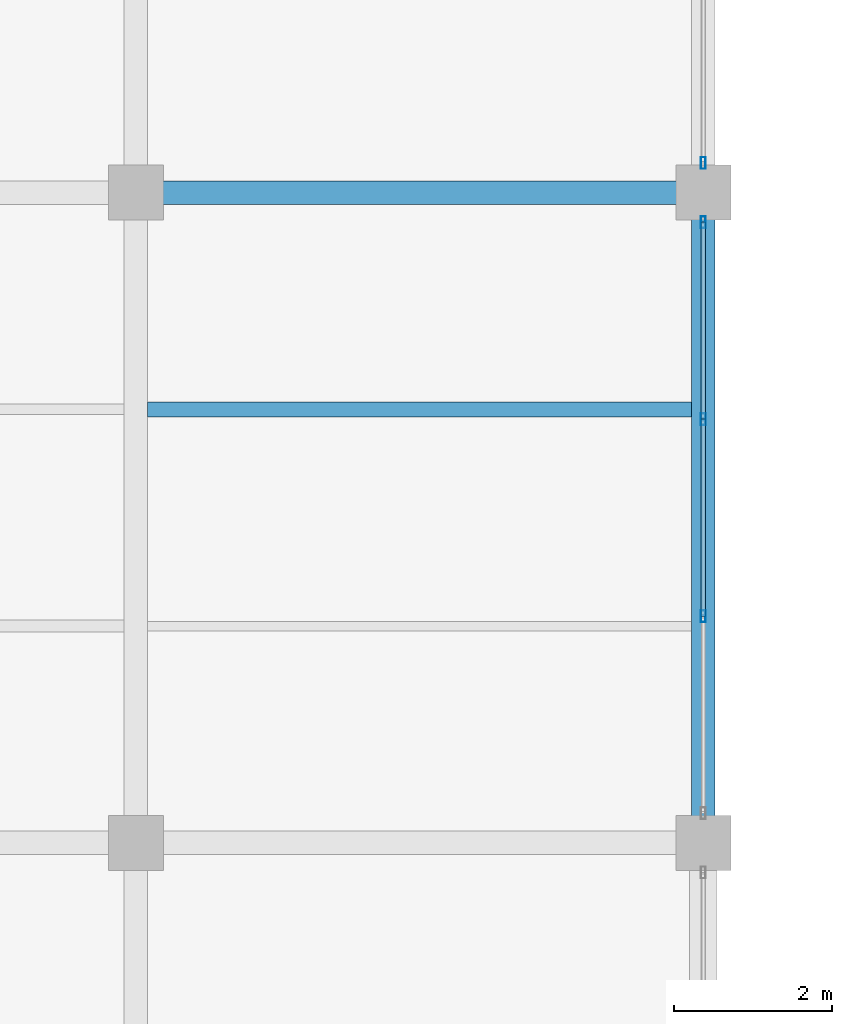
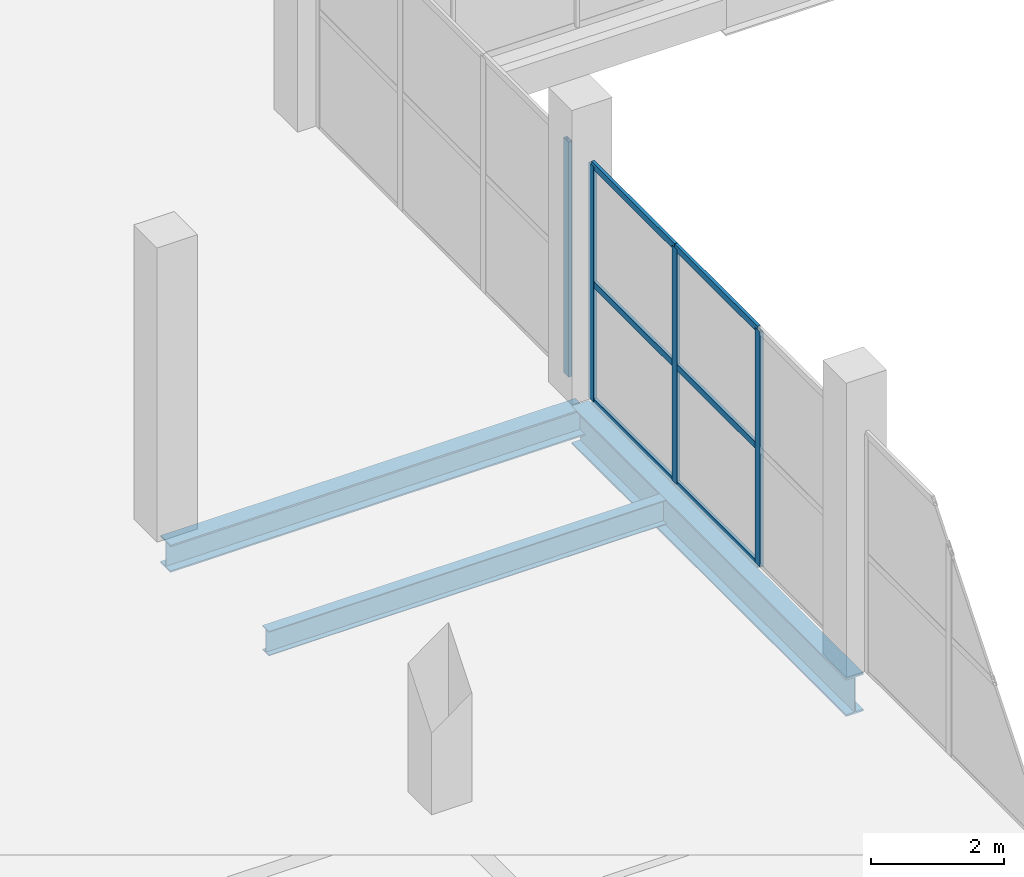
# One storey, part 72 of 147: 10 members, 3 beams, 2 elements without a shape of their own.
"""IFC4 building model written with IfcOpenShell, lengths in metres."""

from ifc_helpers import new_model, si_unit, direction, frame, origin, origin_2d, place, context, subcontext, project, spatial, hollow_rectangle, i_section, extrude, material, layer, layer_set, material_profile, profile_set, type_object, element, aggregate, save


model = new_model("IFC4")

# Units and contexts
model_context = context("Model", 3, precision=1e-05, world=origin(), true_north=direction((0.0, 1.0)))
body_context = subcontext(model_context, "Body", "Model", "MODEL_VIEW")
ifc_project = project(units=[si_unit("LENGTHUNIT", "METRE"), si_unit("AREAUNIT", "SQUARE_METRE"), si_unit("VOLUMEUNIT", "CUBIC_METRE"), si_unit("PLANEANGLEUNIT", "RADIAN"), si_unit("MASSUNIT", "GRAM", prefix="KILO")], contexts=[model_context])

# Site, building, storey
site_placement = place(None, origin())
site = spatial("IfcSite", under=ifc_project, at=site_placement, CompositionType="ELEMENT")
building_placement = place(site_placement, origin())
building = spatial("IfcBuilding", under=site, at=building_placement, Name="Sundgate Opera House", CompositionType="ELEMENT")
storey_placement = place(building_placement, frame((0.0, 0.0, 6.0)))
storey = spatial("IfcBuildingStorey", under=building, at=storey_placement, Name="L01", CompositionType="ELEMENT", Elevation=6.0)

# Beams
ifc_material_1 = material(Name="Steel S355J2", Category="steel")
ifc_material_profile_1 = material_profile(ifc_material_1, i_section(OverallWidth=0.300048828125, OverallDepth=0.5, WebThickness=0.014404296875, FlangeThickness=0.028076171875, at=origin_2d()), Name="HEB 500")
ifc_profile_set_1 = profile_set([ifc_material_profile_1], Name="Steel S355J2")
beam_type_1 = type_object("IfcBeamType", Name="BM-GR-HEB500", PredefinedType="BEAM", material=ifc_profile_set_1)
beam_1_placement = place(storey_placement, frame((117.0, 103.5, -0.550048828125), z_axis=(1.0, 0.0, 0.0), x_axis=(0.0, 1.0, 0.0)))
element("IfcBeam", 1, at=beam_1_placement, inside=storey, type_object=beam_type_1, Name="L01 Primary E-W Girder B1428", PredefinedType="BEAM", context=body_context, shape_type="SweptSolid", body=[
    extrude(i_section(OverallWidth=0.300048828125, OverallDepth=0.5, WebThickness=0.014404296875, FlangeThickness=0.028076171875, at=origin_2d()), origin(), (0.0, 0.0, 1.0), 7.199951171875),
])
ifc_material_2 = material(Name="Steel S355J2", Category="steel")
ifc_material_profile_2 = material_profile(ifc_material_2, i_section(OverallWidth=0.300048828125, OverallDepth=0.699951171875, WebThickness=0.01708984375, FlangeThickness=0.031982421875, at=origin_2d()), Name="HEB 700")
ifc_profile_set_2 = profile_set([ifc_material_profile_2], Name="Steel S355J2")
beam_type_2 = type_object("IfcBeamType", Name="BM-GR-HEB700", PredefinedType="BEAM", material=ifc_profile_set_2)
beam_2_placement = place(storey_placement, frame((124.199951171875, 95.25, -0.64990234375), z_axis=(0.0, 1.0, 0.0), x_axis=(-1.0, 0.0, 0.0)))
element("IfcBeam", 2, at=beam_2_placement, inside=storey, type_object=beam_type_2, Name="L01 Primary N-S Girder B1204", PredefinedType="BEAM", context=body_context, shape_type="SweptSolid", body=[
    extrude(i_section(OverallWidth=0.300048828125, OverallDepth=0.699951171875, WebThickness=0.01708984375, FlangeThickness=0.031982421875, at=origin_2d()), origin(), (0.0, 0.0, 1.0), 8.25),
])
ifc_material_3 = material(Name="Steel S355J2", Category="steel")
ifc_material_profile_3 = material_profile(ifc_material_3, i_section(OverallWidth=0.18994140625, OverallDepth=0.449951171875, WebThickness=0.009521484375, FlangeThickness=0.0146484375, at=origin_2d()), Name="IPE 450")
ifc_profile_set_3 = profile_set([ifc_material_profile_3], Name="Steel S355J2")
beam_type_3 = type_object("IfcBeamType", Name="BM-JS-IPE450", PredefinedType="JOIST", material=ifc_profile_set_3)
beam_3_placement = place(storey_placement, frame((117.14990234375, 100.75, -0.52490234375), z_axis=(1.0, 0.0, 0.0), x_axis=(0.0, 1.0, 0.0)))
element("IfcBeam", 3, at=beam_3_placement, inside=storey, type_object=beam_type_3, Name="L01 Secondary Floor Joist B1701", PredefinedType="JOIST", context=body_context, shape_type="SweptSolid", body=[
    extrude(i_section(OverallWidth=0.18994140625, OverallDepth=0.449951171875, WebThickness=0.009521484375, FlangeThickness=0.0146484375, at=origin_2d()), origin(), (0.0, 0.0, 1.0), 6.900146484375),
])

# Curtain wall, members
ifc_material_4 = material(Name="Anodized aluminium and low-iron glass", Category="aluminium")
ifc_layer = layer(ifc_material_4, 0.159912109375)
ifc_layer_set = layer_set([ifc_layer], Name="Anodized aluminium and low-iron glass")
curtain_wall_type = type_object("IfcCurtainWallType", Name="CW-STUDIO-DARK", PredefinedType="NOTDEFINED", material=ifc_layer_set)
curtain_wall_1_placement = place(storey_placement, origin())
curtain_wall_1 = element("IfcCurtainWall", 4, at=curtain_wall_1_placement, inside=storey, type_object=curtain_wall_type, Name="L01 Curtain Wall CW104", PredefinedType="NOTDEFINED")
ifc_material_5 = material(Name="Anodized aluminium EN AW-6063", Category="aluminium")
ifc_material_profile_4 = material_profile(ifc_material_5, hollow_rectangle(XDim=0.06005859375, YDim=0.14990234375, WallThickness=0.00390625, at=origin_2d()), Name="CWM 150x60x4")
ifc_profile_set_4 = profile_set([ifc_material_profile_4], Name="Anodized aluminium EN AW-6063")
member_type_1 = type_object("IfcMemberType", Name="CWM-ALU-150x60", PredefinedType="MULLION", material=ifc_profile_set_4)
member_1_placement = place(storey_placement, frame((124.199951171875, 98.125, 0.0), z_axis=(0.0, 0.0, 1.0), x_axis=(1.0, 0.0, 0.0)))
member_1 = element("IfcMember", 5, at=member_1_placement, type_object=member_type_1, Name="CW104 Mullion 2", PredefinedType="MULLION", context=body_context, shape_type="SweptSolid", body=[
    extrude(hollow_rectangle(XDim=0.06005859375, YDim=0.14990234375, WallThickness=0.00390625, at=origin_2d()), origin(), (0.0, 0.0, 1.0), 4.31494140625),
])
member_2_placement = place(storey_placement, frame((124.199951171875, 100.625, 0.0), z_axis=(0.0, 0.0, 1.0), x_axis=(1.0, 0.0, 0.0)))
member_2 = element("IfcMember", 6, at=member_2_placement, type_object=member_type_1, Name="CW104 Mullion 3", PredefinedType="MULLION", context=body_context, shape_type="SweptSolid", body=[
    extrude(hollow_rectangle(XDim=0.06005859375, YDim=0.14990234375, WallThickness=0.00390625, at=origin_2d()), origin(), (0.0, 0.0, 1.0), 4.31494140625),
])
member_3_placement = place(storey_placement, frame((124.199951171875, 103.125, 0.0), z_axis=(0.0, 0.0, 1.0), x_axis=(1.0, 0.0, 0.0)))
member_3 = element("IfcMember", 7, at=member_3_placement, type_object=member_type_1, Name="CW104 Mullion 4", PredefinedType="MULLION", context=body_context, shape_type="SweptSolid", body=[
    extrude(hollow_rectangle(XDim=0.06005859375, YDim=0.14990234375, WallThickness=0.00390625, at=origin_2d()), origin(), (0.0, 0.0, 1.0), 4.31494140625),
])

# Curtain wall, member
curtain_wall_2_placement = place(storey_placement, origin())
curtain_wall_2 = element("IfcCurtainWall", 8, at=curtain_wall_2_placement, inside=storey, type_object=curtain_wall_type, Name="L01 Curtain Wall CW106", PredefinedType="NOTDEFINED")
member_4_placement = place(storey_placement, frame((124.199951171875, 103.875, 0.0), z_axis=(0.0, 0.0, 1.0), x_axis=(1.0, 0.0, 0.0)))
member_4 = element("IfcMember", 9, at=member_4_placement, type_object=member_type_1, Name="CW106 Mullion 1", PredefinedType="MULLION", context=body_context, shape_type="SweptSolid", body=[
    extrude(hollow_rectangle(XDim=0.06005859375, YDim=0.14990234375, WallThickness=0.00390625, at=origin_2d()), origin(), (0.0, 0.0, 1.0), 4.31494140625),
])
aggregate(curtain_wall_2, [member_4])

# Member
ifc_material_6 = material(Name="Anodized aluminium EN AW-6063", Category="aluminium")
ifc_material_profile_5 = material_profile(ifc_material_6, hollow_rectangle(XDim=0.054931640625, YDim=0.1201171875, WallThickness=0.00390625, at=origin_2d()), Name="CWT 120x55x4")
ifc_profile_set_5 = profile_set([ifc_material_profile_5], Name="Anodized aluminium EN AW-6063")
member_type_2 = type_object("IfcMemberType", Name="CWT-ALU-120x55", PredefinedType="USERDEFINED", material=ifc_profile_set_5)
member_5_placement = place(storey_placement, frame((124.199951171875, 98.125, 0.0), z_axis=(0.0, 1.0, 0.0), x_axis=(-1.0, 0.0, 0.0)))
member_5 = element("IfcMember", 10, at=member_5_placement, type_object=member_type_2, Name="CW104 Transom 4", ObjectType="TRANSOM", PredefinedType="USERDEFINED", context=body_context, shape_type="SweptSolid", body=[
    extrude(hollow_rectangle(XDim=0.054931640625, YDim=0.1201171875, WallThickness=0.00390625, at=origin_2d()), origin(), (0.0, 0.0, 1.0), 2.5),
])

member_6_placement = place(storey_placement, frame((124.199951171875, 98.125, 2.14990234375), z_axis=(0.0, 1.0, 0.0), x_axis=(-1.0, 0.0, 0.0)))
member_6 = element("IfcMember", 11, at=member_6_placement, type_object=member_type_2, Name="CW104 Transom 5", ObjectType="TRANSOM", PredefinedType="USERDEFINED", context=body_context, shape_type="SweptSolid", body=[
    extrude(hollow_rectangle(XDim=0.054931640625, YDim=0.1201171875, WallThickness=0.00390625, at=origin_2d()), origin(), (0.0, 0.0, 1.0), 2.5),
])

member_7_placement = place(storey_placement, frame((124.199951171875, 98.125, 4.31494140625), z_axis=(0.0, 1.0, 0.0), x_axis=(-1.0, 0.0, 0.0)))
member_7 = element("IfcMember", 12, at=member_7_placement, type_object=member_type_2, Name="CW104 Transom 6", ObjectType="TRANSOM", PredefinedType="USERDEFINED", context=body_context, shape_type="SweptSolid", body=[
    extrude(hollow_rectangle(XDim=0.054931640625, YDim=0.1201171875, WallThickness=0.00390625, at=origin_2d()), origin(), (0.0, 0.0, 1.0), 2.5),
])

member_8_placement = place(storey_placement, frame((124.199951171875, 100.625, 0.0), z_axis=(0.0, 1.0, 0.0), x_axis=(-1.0, 0.0, 0.0)))
member_8 = element("IfcMember", 13, at=member_8_placement, type_object=member_type_2, Name="CW104 Transom 7", ObjectType="TRANSOM", PredefinedType="USERDEFINED", context=body_context, shape_type="SweptSolid", body=[
    extrude(hollow_rectangle(XDim=0.054931640625, YDim=0.1201171875, WallThickness=0.00390625, at=origin_2d()), origin(), (0.0, 0.0, 1.0), 2.5),
])

member_9_placement = place(storey_placement, frame((124.199951171875, 100.625, 2.14990234375), z_axis=(0.0, 1.0, 0.0), x_axis=(-1.0, 0.0, 0.0)))
member_9 = element("IfcMember", 14, at=member_9_placement, type_object=member_type_2, Name="CW104 Transom 8", ObjectType="TRANSOM", PredefinedType="USERDEFINED", context=body_context, shape_type="SweptSolid", body=[
    extrude(hollow_rectangle(XDim=0.054931640625, YDim=0.1201171875, WallThickness=0.00390625, at=origin_2d()), origin(), (0.0, 0.0, 1.0), 2.5),
])

member_10_placement = place(storey_placement, frame((124.199951171875, 100.625, 4.31494140625), z_axis=(0.0, 1.0, 0.0), x_axis=(-1.0, 0.0, 0.0)))
member_10 = element("IfcMember", 15, at=member_10_placement, type_object=member_type_2, Name="CW104 Transom 9", ObjectType="TRANSOM", PredefinedType="USERDEFINED", context=body_context, shape_type="SweptSolid", body=[
    extrude(hollow_rectangle(XDim=0.054931640625, YDim=0.1201171875, WallThickness=0.00390625, at=origin_2d()), origin(), (0.0, 0.0, 1.0), 2.5),
])

aggregate(curtain_wall_1, [member_1, member_2, member_3, member_5, member_6, member_7, member_8, member_9, member_10])

save(model, "model.ifc")
